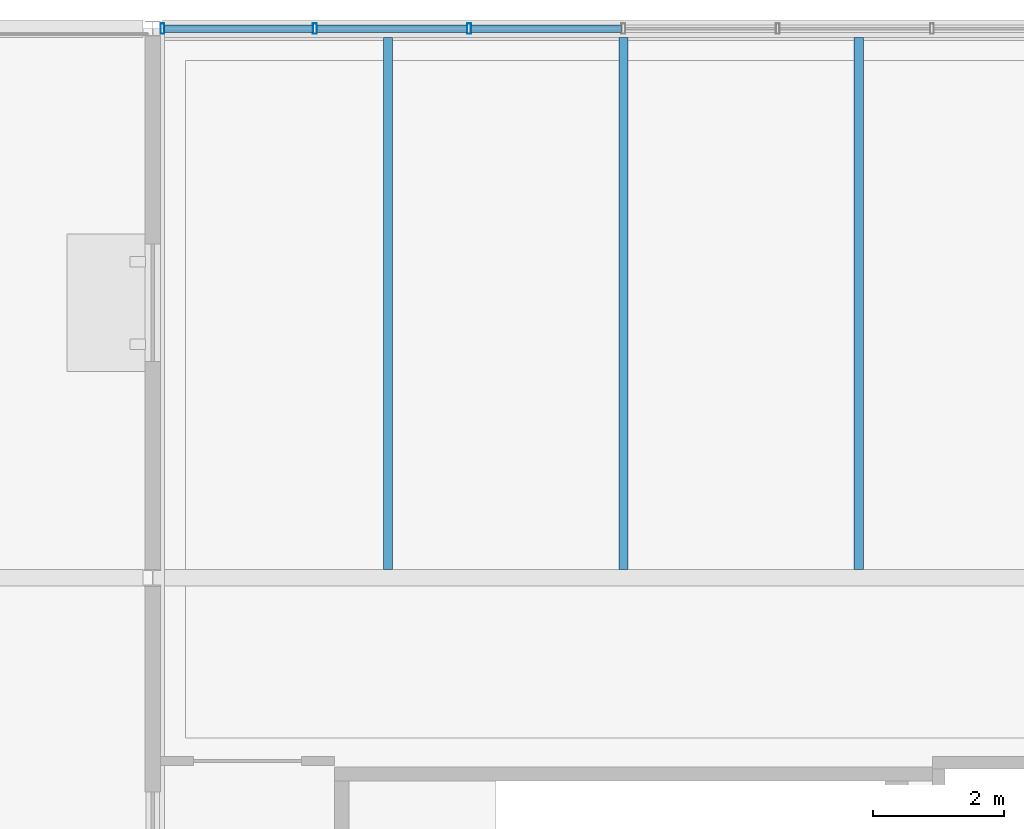
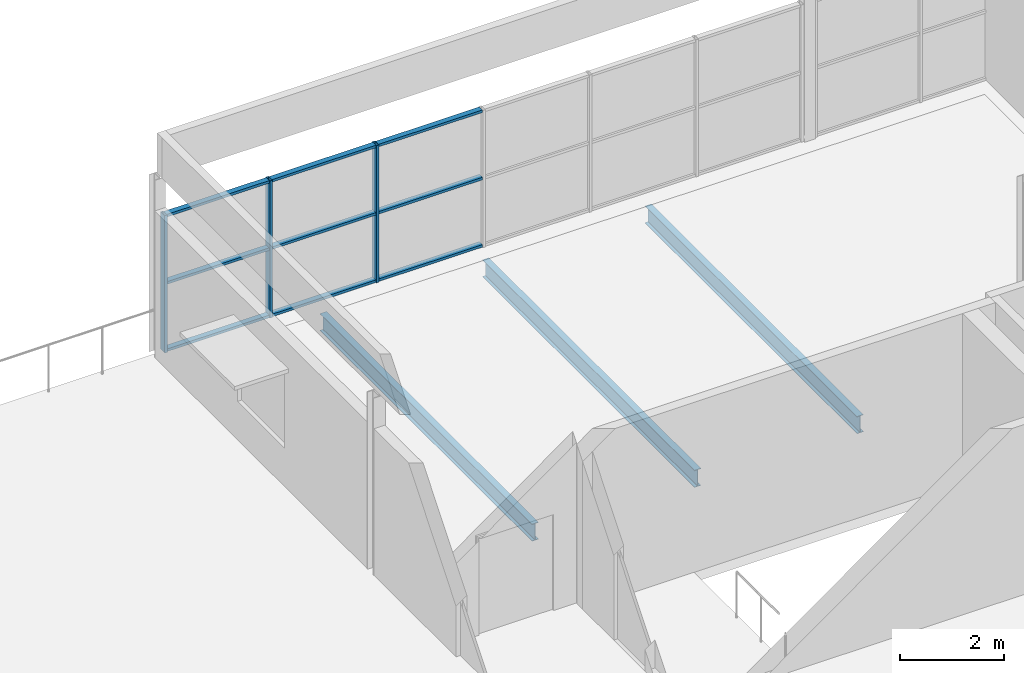
# One storey, part 18 of 43: 12 members, 3 beams, 1 element without a shape of its own.
"""IFC4 building model written with IfcOpenShell, lengths in metres."""

from ifc_helpers import new_model, si_unit, direction, frame, origin, origin_2d, place, context, subcontext, project, spatial, hollow_rectangle, i_section, extrude, material, material_profile, profile_set, type_object, element, aggregate, save


model = new_model("IFC4")

# Units and contexts
model_context = context("Model", 3, precision=1e-05, world=origin(), true_north=direction((0.0, 1.0)))
body_context = subcontext(model_context, "Body", "Model", "MODEL_VIEW")
ifc_project = project(units=[si_unit("LENGTHUNIT", "METRE"), si_unit("AREAUNIT", "SQUARE_METRE"), si_unit("VOLUMEUNIT", "CUBIC_METRE"), si_unit("PLANEANGLEUNIT", "RADIAN"), si_unit("MASSUNIT", "GRAM", prefix="KILO"), si_unit("THERMODYNAMICTEMPERATUREUNIT", "KELVIN")], contexts=[model_context])

# Site, building, storey
site_placement = place(None, origin())
site = spatial("IfcSite", under=ifc_project, at=site_placement, CompositionType="ELEMENT")
building_placement = place(site_placement, origin())
building = spatial("IfcBuilding", under=site, at=building_placement, Name="Nduvali Passage Aquatics Centre", CompositionType="ELEMENT")
storey_placement = place(building_placement, frame((0.0, 0.0, 17.39990234375)))
storey = spatial("IfcBuildingStorey", under=building, at=storey_placement, Name="L04", CompositionType="ELEMENT", Elevation=17.39990234375)

# Curtain wall, members
ifc_material_1 = material(Name="Aluminium EN AW-6063 T6", Category="aluminium")
curtain_wall_type = type_object("IfcCurtainWallType", Name="ENV-CW-WELL", PredefinedType="NOTDEFINED", material=ifc_material_1)
curtain_wall_placement = place(storey_placement, origin())
curtain_wall = element("IfcCurtainWall", 1, at=curtain_wall_placement, inside=storey, type_object=curtain_wall_type, Name="L04 North Avenue Recovery Lounge CW 106", PredefinedType="NOTDEFINED")
ifc_material_profile_1 = material_profile(ifc_material_1, hollow_rectangle(XDim=0.06005859375, YDim=0.159912109375, WallThickness=0.00390625, at=origin_2d()), Name="ALU MULLION 60x160x4")
ifc_profile_set_1 = profile_set([ifc_material_profile_1], Name="Aluminium EN AW-6063 T6")
member_type_1 = type_object("IfcMemberType", Name="ENV-MEM-MUL60", PredefinedType="MULLION", material=ifc_profile_set_1)
member_1_placement = place(storey_placement, frame((68.550048828125, 117.60009765625, 0.0), z_axis=(0.0, 0.0, 1.0), x_axis=(1.0, 0.0, 0.0)))
member_1 = element("IfcMember", 2, at=member_1_placement, type_object=member_type_1, Name="North Avenue Recovery Lounge CW Mullion 1", PredefinedType="MULLION", context=body_context, shape_type="SweptSolid", body=[
    extrude(hollow_rectangle(XDim=0.06005859375, YDim=0.159912109375, WallThickness=0.00390625, at=origin_2d()), origin(), (0.0, 0.0, 1.0), 3.2138671875),
])
member_2_placement = place(storey_placement, frame((70.8798828125, 117.60009765625, 0.0), z_axis=(0.0, 0.0, 1.0), x_axis=(1.0, 0.0, 0.0)))
member_2 = element("IfcMember", 3, at=member_2_placement, type_object=member_type_1, Name="North Avenue Recovery Lounge CW Mullion 2", PredefinedType="MULLION", context=body_context, shape_type="SweptSolid", body=[
    extrude(hollow_rectangle(XDim=0.06005859375, YDim=0.159912109375, WallThickness=0.00390625, at=origin_2d()), origin(), (0.0, 0.0, 1.0), 3.2138671875),
])
member_3_placement = place(storey_placement, frame((73.239990234375, 117.60009765625, 0.0), z_axis=(0.0, 0.0, 1.0), x_axis=(1.0, 0.0, 0.0)))
member_3 = element("IfcMember", 4, at=member_3_placement, type_object=member_type_1, Name="North Avenue Recovery Lounge CW Mullion 3", PredefinedType="MULLION", context=body_context, shape_type="SweptSolid", body=[
    extrude(hollow_rectangle(XDim=0.06005859375, YDim=0.159912109375, WallThickness=0.00390625, at=origin_2d()), origin(), (0.0, 0.0, 1.0), 3.2138671875),
])
ifc_material_profile_2 = material_profile(ifc_material_1, hollow_rectangle(XDim=0.1201171875, YDim=0.06005859375, WallThickness=0.00390625, at=origin_2d()), Name="ALU TRANSOM 120x60x4")
ifc_profile_set_2 = profile_set([ifc_material_profile_2], Name="Aluminium EN AW-6063 T6")
member_type_2 = type_object("IfcMemberType", Name="ENV-MEM-TRN60", PredefinedType="USERDEFINED", material=ifc_profile_set_2)
member_4_placement = place(storey_placement, frame((68.580078125, 117.60009765625, 0.030029296875), z_axis=(1.0, 0.0, 0.0), x_axis=(0.0, 1.0, 0.0)))
member_4 = element("IfcMember", 5, at=member_4_placement, type_object=member_type_2, Name="North Avenue Recovery Lounge CW Transom B1-R0", ObjectType="TRANSOM", PredefinedType="USERDEFINED", context=body_context, shape_type="SweptSolid", body=[
    extrude(hollow_rectangle(XDim=0.1201171875, YDim=0.06005859375, WallThickness=0.00390625, at=origin_2d()), origin(), (0.0, 0.0, 1.0), 2.27001953125),
])
member_5_placement = place(storey_placement, frame((68.580078125, 117.60009765625, 1.60693359375), z_axis=(1.0, 0.0, 0.0), x_axis=(0.0, 1.0, 0.0)))
member_5 = element("IfcMember", 6, at=member_5_placement, type_object=member_type_2, Name="North Avenue Recovery Lounge CW Transom B1-R1", ObjectType="TRANSOM", PredefinedType="USERDEFINED", context=body_context, shape_type="SweptSolid", body=[
    extrude(hollow_rectangle(XDim=0.1201171875, YDim=0.06005859375, WallThickness=0.00390625, at=origin_2d()), origin(), (0.0, 0.0, 1.0), 2.27001953125),
])
member_6_placement = place(storey_placement, frame((68.580078125, 117.60009765625, 3.183837890625), z_axis=(1.0, 0.0, 0.0), x_axis=(0.0, 1.0, 0.0)))
member_6 = element("IfcMember", 7, at=member_6_placement, type_object=member_type_2, Name="North Avenue Recovery Lounge CW Transom B1-R2", ObjectType="TRANSOM", PredefinedType="USERDEFINED", context=body_context, shape_type="SweptSolid", body=[
    extrude(hollow_rectangle(XDim=0.1201171875, YDim=0.06005859375, WallThickness=0.00390625, at=origin_2d()), origin(), (0.0, 0.0, 1.0), 2.27001953125),
])
member_7_placement = place(storey_placement, frame((70.909912109375, 117.60009765625, 0.030029296875), z_axis=(1.0, 0.0, 0.0), x_axis=(0.0, 1.0, 0.0)))
member_7 = element("IfcMember", 8, at=member_7_placement, type_object=member_type_2, Name="North Avenue Recovery Lounge CW Transom B2-R0", ObjectType="TRANSOM", PredefinedType="USERDEFINED", context=body_context, shape_type="SweptSolid", body=[
    extrude(hollow_rectangle(XDim=0.1201171875, YDim=0.06005859375, WallThickness=0.00390625, at=origin_2d()), origin(), (0.0, 0.0, 1.0), 2.300048828125),
])
member_8_placement = place(storey_placement, frame((70.909912109375, 117.60009765625, 1.60693359375), z_axis=(1.0, 0.0, 0.0), x_axis=(0.0, 1.0, 0.0)))
member_8 = element("IfcMember", 9, at=member_8_placement, type_object=member_type_2, Name="North Avenue Recovery Lounge CW Transom B2-R1", ObjectType="TRANSOM", PredefinedType="USERDEFINED", context=body_context, shape_type="SweptSolid", body=[
    extrude(hollow_rectangle(XDim=0.1201171875, YDim=0.06005859375, WallThickness=0.00390625, at=origin_2d()), origin(), (0.0, 0.0, 1.0), 2.300048828125),
])
member_9_placement = place(storey_placement, frame((70.909912109375, 117.60009765625, 3.183837890625), z_axis=(1.0, 0.0, 0.0), x_axis=(0.0, 1.0, 0.0)))
member_9 = element("IfcMember", 10, at=member_9_placement, type_object=member_type_2, Name="North Avenue Recovery Lounge CW Transom B2-R2", ObjectType="TRANSOM", PredefinedType="USERDEFINED", context=body_context, shape_type="SweptSolid", body=[
    extrude(hollow_rectangle(XDim=0.1201171875, YDim=0.06005859375, WallThickness=0.00390625, at=origin_2d()), origin(), (0.0, 0.0, 1.0), 2.300048828125),
])
member_10_placement = place(storey_placement, frame((73.27001953125, 117.60009765625, 0.030029296875), z_axis=(1.0, 0.0, 0.0), x_axis=(0.0, 1.0, 0.0)))
member_10 = element("IfcMember", 11, at=member_10_placement, type_object=member_type_2, Name="North Avenue Recovery Lounge CW Transom B3-R0", ObjectType="TRANSOM", PredefinedType="USERDEFINED", context=body_context, shape_type="SweptSolid", body=[
    extrude(hollow_rectangle(XDim=0.1201171875, YDim=0.06005859375, WallThickness=0.00390625, at=origin_2d()), origin(), (0.0, 0.0, 1.0), 2.300048828125),
])
member_11_placement = place(storey_placement, frame((73.27001953125, 117.60009765625, 1.60693359375), z_axis=(1.0, 0.0, 0.0), x_axis=(0.0, 1.0, 0.0)))
member_11 = element("IfcMember", 12, at=member_11_placement, type_object=member_type_2, Name="North Avenue Recovery Lounge CW Transom B3-R1", ObjectType="TRANSOM", PredefinedType="USERDEFINED", context=body_context, shape_type="SweptSolid", body=[
    extrude(hollow_rectangle(XDim=0.1201171875, YDim=0.06005859375, WallThickness=0.00390625, at=origin_2d()), origin(), (0.0, 0.0, 1.0), 2.300048828125),
])
member_12_placement = place(storey_placement, frame((73.27001953125, 117.60009765625, 3.183837890625), z_axis=(1.0, 0.0, 0.0), x_axis=(0.0, 1.0, 0.0)))
member_12 = element("IfcMember", 13, at=member_12_placement, type_object=member_type_2, Name="North Avenue Recovery Lounge CW Transom B3-R2", ObjectType="TRANSOM", PredefinedType="USERDEFINED", context=body_context, shape_type="SweptSolid", body=[
    extrude(hollow_rectangle(XDim=0.1201171875, YDim=0.06005859375, WallThickness=0.00390625, at=origin_2d()), origin(), (0.0, 0.0, 1.0), 2.300048828125),
])
aggregate(curtain_wall, [member_1, member_2, member_3, member_4, member_5, member_6, member_7, member_8, member_9, member_10, member_11, member_12])

# Beams
ifc_material_2 = material(Name="Steel S355", Category="steel")
ifc_material_profile_3 = material_profile(ifc_material_2, i_section(OverallWidth=0.14208984375, OverallDepth=0.4033203125, WebThickness=0.0068359375, FlangeThickness=0.01123046875, FilletRadius=0.01025390625, at=origin_2d()), Name="UKB 406x140x46")
ifc_profile_set_3 = profile_set([ifc_material_profile_3], Name="Steel S355")
beam_type = type_object("IfcBeamType", Name="STR-JST-UKB406L", PredefinedType="JOIST", material=ifc_profile_set_3)
for number, where, z_axis, x_axis, name in (
    (14, (72.0, 109.326904296875, -0.435546875), (0.0, 1.0, 0.0), (-1.0, 0.0, 0.0), "L04 Secondary Joist J1B-1428"),
    (15, (75.60009765625, 109.326904296875, -0.435546875), (0.0, 1.0, 0.0), (-1.0, 0.0, 0.0), "L04 Secondary Joist J1B-1429"),
    (16, (79.199951171875, 109.326904296875, -0.435546875), (0.0, 1.0, 0.0), (-1.0, 0.0, 0.0), "L04 Secondary Joist J1B-1430"),
):
    element("IfcBeam", number, at=place(storey_placement, frame(where, z_axis=z_axis, x_axis=x_axis)), inside=storey, type_object=beam_type, Name=name, PredefinedType="JOIST", context=body_context, shape_type="SweptSolid", body=[
        extrude(i_section(OverallWidth=0.14208984375, OverallDepth=0.4033203125, WebThickness=0.0068359375, FlangeThickness=0.01123046875, FilletRadius=0.01025390625, at=origin_2d()), origin(), (0.0, 0.0, 1.0), 8.139892578125),
    ])

save(model, "model.ifc")
